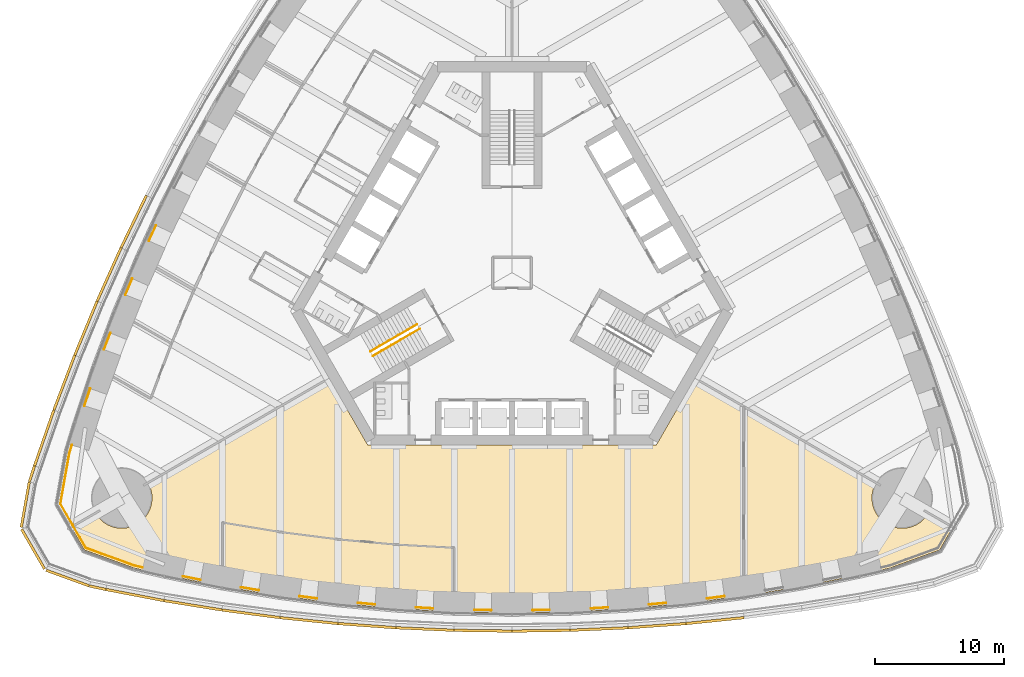
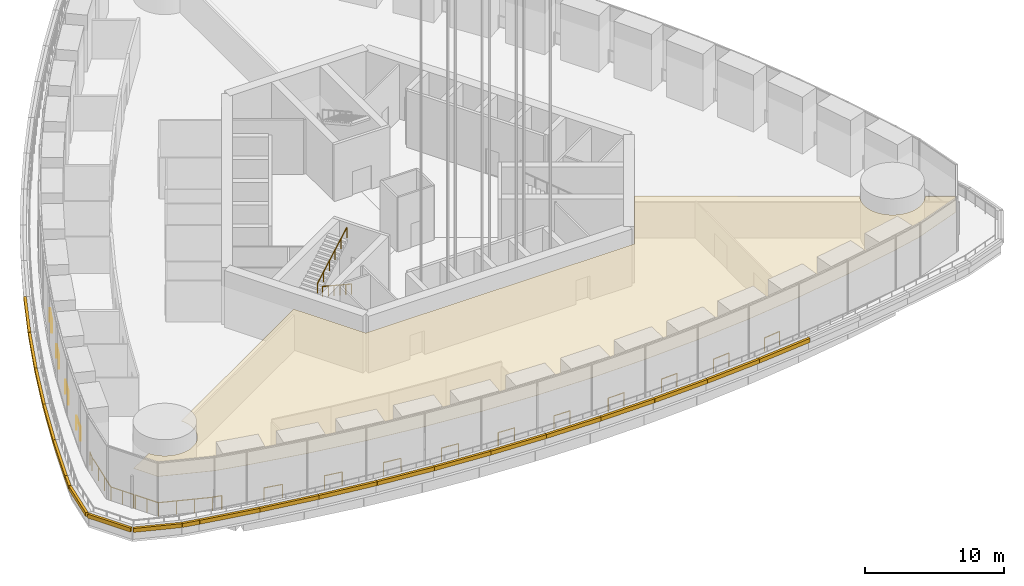
# One storey, part 18 of 33: 22 coverings, 18 railings.
"""IFC4 building model written with IfcOpenShell, lengths in metres."""

import ifcopenshell
import ifcopenshell.guid

model = None  # the IFC model being written
_history = None  # IfcOwnerHistory: only IFC2X3 demands one
_inside = {}  # id of a spatial element -> (the spatial element, [elements in it])
_under = {}  # id of a project, library or spatial element -> (it, [spatial elements below it])
_declared = {}  # id of a project -> (the project, [libraries it declares])
_typed = {}  # id of a type object -> (the type object, [elements of that type])
_made_of = {}  # id of a material, layer set ... -> (it, [elements and type objects made of it])


def new_model(schema):
    """Start an empty IFC model of exactly this schema.

    Asked for "IFC4X3", IfcOpenShell would pick the latest addendum, in which some entities
    have other attributes; the version numbers below select the first issue.
    IFC2X3 requires an IfcOwnerHistory on every rooted entity: one is made here for all.
    """
    global model, _history
    if schema == "IFC4X3":
        model = ifcopenshell.file(schema_version=(4, 3, 0, 0))
    else:
        model = ifcopenshell.file(schema=schema)
    _inside.clear()
    _under.clear()
    _declared.clear()
    _typed.clear()
    _made_of.clear()
    _history = None
    if model.schema == "IFC2X3":
        org = make("IfcOrganization", Name="unknown")
        user = make(
            "IfcPersonAndOrganization",
            ThePerson=make("IfcPerson", FamilyName="unknown"),
            TheOrganization=org,
        )
        app = make(
            "IfcApplication",
            ApplicationDeveloper=org,
            Version="unknown",
            ApplicationFullName="unknown",
            ApplicationIdentifier="unknown",
        )
        _history = make(
            "IfcOwnerHistory",
            OwningUser=user,
            OwningApplication=app,
            ChangeAction="ADDED",
            CreationDate=0,
        )
    return model


def make(cls, **values):
    """One entity of the class cls with the attributes given. An attribute that is None is left unset."""
    return model.create_entity(
        cls, **{name: value for name, value in values.items() if value is not None}
    )


def rooted(cls, **values):
    """An entity with a GlobalId (a new one), such as an element, a storey or a relation."""
    return make(cls, GlobalId=ifcopenshell.guid.new(), OwnerHistory=_history, **values)


def si_unit(unit_type, name, prefix=None):
    """IfcSIUnit, for example si_unit("LENGTHUNIT", "METRE", prefix="MILLI")."""
    return make("IfcSIUnit", UnitType=unit_type, Prefix=prefix, Name=name)


def assignment(units):
    """IfcUnitAssignment: the units of a project."""
    return None if units is None else make("IfcUnitAssignment", Units=units)


def point(xyz):
    """IfcCartesianPoint."""
    return None if xyz is None else make("IfcCartesianPoint", Coordinates=xyz)


def direction(xyz):
    """IfcDirection."""
    return None if xyz is None else make("IfcDirection", DirectionRatios=xyz)


def frame(location, z_axis=None, x_axis=None):
    """IfcAxis2Placement3D, a coordinate frame: its origin and axes. An axis left out is left unset."""
    return make(
        "IfcAxis2Placement3D",
        Location=point(location),
        Axis=direction(z_axis),
        RefDirection=direction(x_axis),
    )


def frame_2d(location, x_axis=None):
    """IfcAxis2Placement2D, a coordinate frame in the plane: its origin and x axis."""
    return make(
        "IfcAxis2Placement2D", Location=point(location), RefDirection=direction(x_axis)
    )


def origin():
    """The frame at (0, 0, 0) with its axes left unset."""
    return frame((0.0, 0.0, 0.0))


def origin_2d():
    """The frame at (0, 0) in the plane with its x axis left unset."""
    return frame_2d((0.0, 0.0))


def place(relative_to, where):
    """IfcLocalPlacement: puts the frame where relative to a parent placement (None: the world)."""
    return make(
        "IfcLocalPlacement", PlacementRelTo=relative_to, RelativePlacement=where
    )


def context(
    kind, dimensions, precision=None, world=None, true_north=None, identifier=None
):
    """IfcGeometricRepresentationContext, for example the 3D "Model" context."""
    return make(
        "IfcGeometricRepresentationContext",
        ContextIdentifier=identifier,
        ContextType=kind,
        CoordinateSpaceDimension=dimensions,
        Precision=precision,
        WorldCoordinateSystem=world,
        TrueNorth=true_north,
    )


def subcontext(parent, identifier, kind, view, scale=None):
    """IfcGeometricRepresentationSubContext, for example "Body" below "Model"."""
    return make(
        "IfcGeometricRepresentationSubContext",
        ContextIdentifier=identifier,
        ContextType=kind,
        ParentContext=parent,
        TargetScale=scale,
        TargetView=view,
    )


def project(units=None, contexts=None):
    """IfcProject with its units and contexts."""
    return rooted(
        "IfcProject",
        Name="project",
        RepresentationContexts=contexts,
        UnitsInContext=assignment(units),
    )


def spatial(cls, under=None, at=None, **own):
    """A site, building, storey or space (cls), placed at a placement, below another one or the project."""
    s = rooted(cls, ObjectPlacement=at, **own)
    if under is not None:
        _under.setdefault(under.id(), (under, []))[1].append(s)
    return s


def polyline(points):
    """IfcPolyline through the points."""
    return make("IfcPolyline", Points=[point(p) for p in points])


def profile(cls, at=None, kind="AREA", **sizes):
    """A parametric profile (cls). Its sizes go by their IFC names, for example OverallWidth=200.0."""
    return make(cls, ProfileType=kind, Position=at, **sizes)


def rectangle(**sizes):
    """IfcRectangleProfileDef."""
    return profile("IfcRectangleProfileDef", **sizes)


def circle(**sizes):
    """IfcCircleProfileDef."""
    return profile("IfcCircleProfileDef", **sizes)


def outline(outer, holes=None, kind="AREA"):
    """IfcArbitraryClosedProfileDef: a profile drawn as a closed curve; with holes, ...WithVoids."""
    if holes is None:
        return make("IfcArbitraryClosedProfileDef", ProfileType=kind, OuterCurve=outer)
    return make(
        "IfcArbitraryProfileDefWithVoids",
        ProfileType=kind,
        OuterCurve=outer,
        InnerCurves=holes,
    )


def extrude(swept, where, along, depth):
    """IfcExtrudedAreaSolid: the profile swept, set in the frame where, extruded along a direction by depth."""
    return make(
        "IfcExtrudedAreaSolid",
        SweptArea=swept,
        Position=where,
        ExtrudedDirection=direction(along),
        Depth=depth,
    )


def shape(context_of_items, identifier, shape_type, items):
    """IfcShapeRepresentation: the items that make up one representation, for example the "Body"."""
    return make(
        "IfcShapeRepresentation",
        ContextOfItems=context_of_items,
        RepresentationIdentifier=identifier,
        RepresentationType=shape_type,
        Items=items,
    )


def material(Name=None, Category=None):
    """IfcMaterial."""
    return make("IfcMaterial", Name=Name, Category=Category)


def layer(
    of_material, thickness, ventilated=None, Name=None, Category=None, Priority=None
):
    """IfcMaterialLayer: one layer of a wall or slab, of a material (None: an air gap)."""
    return make(
        "IfcMaterialLayer",
        Material=of_material,
        LayerThickness=thickness,
        IsVentilated=ventilated,
        Name=Name,
        Category=Category,
        Priority=Priority,
    )


def layer_set(layers, Name=None):
    """IfcMaterialLayerSet."""
    return make("IfcMaterialLayerSet", MaterialLayers=layers, LayerSetName=Name)


def made_of(thing, what):
    """Note that an element or type object is made of a material, layer set ...; save() writes the relation."""
    if what is not None:
        _made_of.setdefault(what.id(), (what, []))[1].append(thing)
    return thing


def type_object(cls, material=None, **own):
    """A type object (cls), such as IfcWallType, which elements share."""
    return made_of(rooted(cls, **own), material)


def element(
    cls,
    number,
    at=None,
    inside=None,
    cuts=None,
    type_object=None,
    material=None,
    context=None,
    identifier="Body",
    shape_type=None,
    held_by="IfcProductDefinitionShape",
    body=None,
    shapes=None,
    **own,
):
    """One element of the class cls, such as IfcWall. Its Tag is "e" and its number.

    at: its placement. inside: the storey or other place that contains it. cuts: it is an
    opening in that element (IfcRelVoidsElement). A single representation is given by context,
    identifier, shape_type and body (its items); several are given by shapes. held_by: the class
    of the entity that holds the representations. save() writes the other relations.
    """
    e = rooted(cls, Tag="e%d" % number, ObjectPlacement=at, **own)
    if body is not None:
        shapes = [shape(context, identifier, shape_type, body)]
    if shapes is not None:
        e.Representation = make(held_by, Representations=shapes)
    if inside is not None:
        _inside.setdefault(inside.id(), (inside, []))[1].append(e)
    if cuts is not None:
        rooted(
            "IfcRelVoidsElement", RelatingBuildingElement=cuts, RelatedOpeningElement=e
        )
    if type_object is not None:
        _typed.setdefault(type_object.id(), (type_object, []))[1].append(e)
    return made_of(e, material)


def aggregate(whole, parts):
    """IfcRelAggregates: a whole, such as a stair, and the parts it consists of."""
    return rooted("IfcRelAggregates", RelatingObject=whole, RelatedObjects=parts)


def save(model, path):
    """Write the relations noted so far, then the file.

    IfcRelAggregates (storeys below a building ...), IfcRelContainedInSpatialStructure (elements
    in a storey), IfcRelDefinesByType, IfcRelAssociatesMaterial and IfcRelDeclares: one each for
    every whole, place, type object, material and project.
    """
    for whole, parts in _under.values():
        aggregate(whole, parts)
    for where, things in _inside.values():
        rooted(
            "IfcRelContainedInSpatialStructure",
            RelatedElements=things,
            RelatingStructure=where,
        )
    for kind, things in _typed.values():
        rooted("IfcRelDefinesByType", RelatedObjects=things, RelatingType=kind)
    for what, things in _made_of.values():
        rooted("IfcRelAssociatesMaterial", RelatedObjects=things, RelatingMaterial=what)
    for by, libraries in _declared.values():
        rooted("IfcRelDeclares", RelatingContext=by, RelatedDefinitions=libraries)
    model.write(path)


model = new_model("IFC4")

# Units and contexts
model_context = context("Model", 3, precision=1e-05, world=origin(), true_north=direction((0.0, 1.0)))
body_context = subcontext(model_context, "Body", "Model", "MODEL_VIEW")
ifc_project = project(units=[si_unit("LENGTHUNIT", "METRE"), si_unit("AREAUNIT", "SQUARE_METRE"), si_unit("VOLUMEUNIT", "CUBIC_METRE"), si_unit("PLANEANGLEUNIT", "RADIAN"), si_unit("MASSUNIT", "GRAM", prefix="KILO")], contexts=[model_context])

# Site, building, storey
site_placement = place(None, origin())
site = spatial("IfcSite", under=ifc_project, at=site_placement, CompositionType="ELEMENT")
building_placement = place(site_placement, origin())
building = spatial("IfcBuilding", under=site, at=building_placement, Name="Trefoil Bronze Tower", CompositionType="ELEMENT")
storey_placement = place(building_placement, frame((0.0, 0.0, 98.10009765625)))
storey = spatial("IfcBuildingStorey", under=building, at=storey_placement, Name="L22", CompositionType="ELEMENT", Elevation=98.10009765625)

# Covering
ifc_material_1 = material(Name="Bronze metal ceiling panels", Category="metal")
ifc_layer = layer(ifc_material_1, 0.02001953125)
ifc_layer_set = layer_set([ifc_layer], Name="Feature ceiling 20")
covering_type_1 = type_object("IfcCoveringType", Name="Feature ceiling 20", PredefinedType="CEILING", material=ifc_layer_set)
covering_1_placement = place(storey_placement, frame((0.0, 0.0, 3.599853515625)))
element("IfcCovering", 1, at=covering_1_placement, inside=storey, type_object=covering_type_1, Name="Ceiling L22 Sky lobby F1", PredefinedType="CEILING", context=body_context, shape_type="SweptSolid", body=[
    extrude(outline(polyline([(-32.264892578125, -18.8056640625), (-32.198486328125, -18.89990234375), (-32.12744140625, -18.99072265625), (-32.052001953125, -19.078125), (-31.97265625, -19.16162109375), (-31.88916015625, -19.2412109375), (-31.8017578125, -19.316650390625), (-31.710693359375, -19.387451171875), (-31.616455078125, -19.4541015625), (-31.51904296875, -19.515625), (-31.418701171875, -19.572509765625), (-31.315673828125, -19.62451171875), (-31.210205078125, -19.671142578125), (-31.1025390625, -19.712646484375), (-30.9931640625, -19.748779296875), (-30.8818359375, -19.779541015625), (-30.769287109375, -19.8046875), (-30.65576171875, -19.82470703125), (-30.541259765625, -19.838623046875), (-30.42626953125, -19.84716796875), (-30.310791015625, -19.85009765625), (-30.195556640625, -19.84716796875), (-30.08056640625, -19.838623046875), (-29.966064453125, -19.82470703125), (-29.852294921875, -19.8046875), (-29.739990234375, -19.779541015625), (-29.628662109375, -19.748779296875), (-29.519287109375, -19.712646484375), (-29.41162109375, -19.671142578125), (-29.30615234375, -19.62451171875), (-29.203125, -19.572509765625), (-29.102783203125, -19.515625), (-29.00537109375, -19.4541015625), (-28.910888671875, -19.387451171875), (-28.820068359375, -19.316650390625), (-28.732666015625, -19.2412109375), (-28.649169921875, -19.16162109375), (-28.569580078125, -19.078125), (-28.494384765625, -18.99072265625), (-28.42333984375, -18.89990234375), (-28.35693359375, -18.8056640625), (-28.295166015625, -18.7080078125), (-28.23828125, -18.60791015625), (-28.1865234375, -18.5048828125), (-28.139892578125, -18.3994140625), (-28.098388671875, -18.291748046875), (-28.06201171875, -18.18212890625), (-28.03125, -18.071044921875), (-28.006103515625, -17.95849609375), (-27.986328125, -17.8447265625), (-27.97216796875, -17.730224609375), (-27.963623046875, -17.615234375), (-27.9609375, -17.5), (-27.963623046875, -17.384765625), (-27.97216796875, -17.269775390625), (-27.986328125, -17.1552734375), (-28.006103515625, -17.04150390625), (-28.03125, -16.928955078125), (-28.06201171875, -16.81787109375), (-28.098388671875, -16.708251953125), (-28.139892578125, -16.6005859375), (-28.1865234375, -16.4951171875), (-28.23828125, -16.39208984375), (-28.270263671875, -16.3359375), (-14.19970703125, -8.205322265625), (-11.20068359375, -13.39990234375), (11.20068359375, -13.39990234375), (14.19970703125, -8.205322265625), (28.270263671875, -16.3359375), (28.23828125, -16.39208984375), (28.1865234375, -16.4951171875), (28.139892578125, -16.6005859375), (28.098388671875, -16.708251953125), (28.06201171875, -16.81787109375), (28.03125, -16.928955078125), (28.006103515625, -17.04150390625), (27.986328125, -17.1552734375), (27.97216796875, -17.269775390625), (27.963623046875, -17.384765625), (27.9609375, -17.5), (27.963623046875, -17.615234375), (27.97216796875, -17.730224609375), (27.986328125, -17.8447265625), (28.006103515625, -17.95849609375), (28.03125, -18.071044921875), (28.06201171875, -18.18212890625), (28.098388671875, -18.291748046875), (28.139892578125, -18.3994140625), (28.1865234375, -18.5048828125), (28.23828125, -18.60791015625), (28.295166015625, -18.7080078125), (28.35693359375, -18.8056640625), (28.42333984375, -18.89990234375), (28.494384765625, -18.99072265625), (28.569580078125, -19.078125), (28.649169921875, -19.16162109375), (28.732666015625, -19.2412109375), (28.820068359375, -19.316650390625), (28.910888671875, -19.387451171875), (29.00537109375, -19.4541015625), (29.102783203125, -19.515625), (29.203125, -19.572509765625), (29.30615234375, -19.62451171875), (29.41162109375, -19.671142578125), (29.519287109375, -19.712646484375), (29.628662109375, -19.748779296875), (29.739990234375, -19.779541015625), (29.852294921875, -19.8046875), (29.966064453125, -19.82470703125), (30.08056640625, -19.838623046875), (30.195556640625, -19.84716796875), (30.310791015625, -19.85009765625), (30.42626953125, -19.84716796875), (30.541259765625, -19.838623046875), (30.65576171875, -19.82470703125), (30.769287109375, -19.8046875), (30.8818359375, -19.779541015625), (30.9931640625, -19.748779296875), (31.1025390625, -19.712646484375), (31.210205078125, -19.671142578125), (31.315673828125, -19.62451171875), (31.418701171875, -19.572509765625), (31.51904296875, -19.515625), (31.616455078125, -19.4541015625), (31.710693359375, -19.387451171875), (31.8017578125, -19.316650390625), (31.88916015625, -19.2412109375), (31.97265625, -19.16162109375), (32.052001953125, -19.078125), (32.12744140625, -18.99072265625), (32.198486328125, -18.89990234375), (32.264892578125, -18.8056640625), (32.338623046875, -18.68701171875), (34.233154296875, -19.781494140625), (33.21435546875, -21.5458984375), (29.357666015625, -22.94970703125), (27.0, -23.495849609375), (22.5, -24.406005859375), (18.0, -25.1455078125), (13.5, -25.7177734375), (9.0, -26.125), (4.5, -26.36865234375), (0.0, -26.44970703125), (-4.5, -26.36865234375), (-9.0, -26.125), (-13.5, -25.7177734375), (-18.0, -25.1455078125), (-22.5, -24.406005859375), (-27.0, -23.495849609375), (-29.357666015625, -22.94970703125), (-33.21435546875, -21.5458984375), (-34.233154296875, -19.781494140625), (-32.338623046875, -18.68701171875), (-32.264892578125, -18.8056640625)])), origin(), (0.0, 0.0, 1.0), 0.02001953125),
])

# Railings
ifc_material_2 = material(Name="Bronze-finish steel guard rail and posts", Category="steel")
railing_type_1 = type_object("IfcRailingType", Name="Glazing guard 1200", PredefinedType="GUARDRAIL", material=ifc_material_2)
railing_1_placement = place(storey_placement, frame((-29.4931640625, -0.468505859375, 0.0)))
element("IfcRailing", 2, at=railing_1_placement, inside=storey, type_object=railing_type_1, Name="Glazing guard L22.1", PredefinedType="GUARDRAIL", context=body_context, shape_type="SweptSolid", body=[
    extrude(circle(Radius=0.02392578125, at=origin_2d()), frame((0.0, 0.0, 1.17578125), z_axis=(-0.38683516355, -0.922148879651, 0.0), x_axis=(0.922148879651, -0.38683516355, 0.0)), (0.0, 0.0, 1.0), 1.358154296875),
    extrude(circle(Radius=0.02099609375, at=origin_2d()), origin(), (0.0, 0.0, 1.0), 1.15185546875),
    extrude(circle(Radius=0.02099609375, at=origin_2d()), frame((-0.525390625, -1.25244140625, 0.0)), (0.0, 0.0, 1.0), 1.15185546875),
])
railing_2_placement = place(storey_placement, frame((-31.19921875, -4.695068359375, 0.0)))
element("IfcRailing", 3, at=railing_2_placement, inside=storey, type_object=railing_type_1, Name="Glazing guard L22.2", PredefinedType="GUARDRAIL", context=body_context, shape_type="SweptSolid", body=[
    extrude(circle(Radius=0.02392578125, at=origin_2d()), frame((0.0, 0.0, 1.17578125), z_axis=(-0.352961015348, -0.935638029178, 0.0), x_axis=(0.935638029178, -0.352961015348, 0.0)), (0.0, 0.0, 1.0), 1.3828125),
    extrude(circle(Radius=0.02099609375, at=origin_2d()), origin(), (0.0, 0.0, 1.0), 1.15185546875),
    extrude(circle(Radius=0.02099609375, at=origin_2d()), frame((-0.488037109375, -1.293701171875, 0.0)), (0.0, 0.0, 1.0), 1.15185546875),
])
railing_3_placement = place(storey_placement, frame((-32.757568359375, -9.00439453125, 0.0)))
element("IfcRailing", 4, at=railing_3_placement, inside=storey, type_object=railing_type_1, Name="Glazing guard L22.3", PredefinedType="GUARDRAIL", context=body_context, shape_type="SweptSolid", body=[
    extrude(circle(Radius=0.02392578125, at=origin_2d()), frame((0.0, 0.0, 1.17578125), z_axis=(-0.318458348418, -0.947936854607, 0.0), x_axis=(0.947936854607, -0.318458348418, 0.0)), (0.0, 0.0, 1.0), 1.411376953125),
    extrude(circle(Radius=0.02099609375, at=origin_2d()), origin(), (0.0, 0.0, 1.0), 1.15185546875),
    extrude(circle(Radius=0.02099609375, at=origin_2d()), frame((-0.449462890625, -1.337890625, 0.0)), (0.0, 0.0, 1.0), 1.15185546875),
])
railing_4_placement = place(storey_placement, frame((-34.1796875, -13.390869140625, 0.0)))
element("IfcRailing", 5, at=railing_4_placement, inside=storey, type_object=railing_type_1, Name="Glazing guard L22.4", PredefinedType="GUARDRAIL", context=body_context, shape_type="SweptSolid", body=[
    extrude(circle(Radius=0.02392578125, at=origin_2d()), frame((0.0, 0.0, 1.17578125), z_axis=(-0.291768162996, -0.956489068971, 0.0), x_axis=(0.956489068971, -0.291768162996, 0.0)), (0.0, 0.0, 1.0), 0.688720703125),
    extrude(circle(Radius=0.02392578125, at=origin_2d()), frame((-0.200927734375, -0.65869140625, 1.17578125), z_axis=(-0.173651937522, -0.984807090041, 0.0), x_axis=(0.984807090041, -0.173651937522, 0.0)), (0.0, 0.0, 1.0), 3.967529296875),
    extrude(circle(Radius=0.02392578125, at=origin_2d()), frame((-0.889892578125, -4.56591796875, 1.17578125), z_axis=(0.499977104415, -0.866038622153, 0.0), x_axis=(0.866038622153, 0.499977104415, 0.0)), (0.0, 0.0, 1.0), 1.90869140625),
    extrude(circle(Radius=0.02099609375, at=origin_2d()), origin(), (0.0, 0.0, 1.0), 1.15185546875),
    extrude(circle(Radius=0.02099609375, at=origin_2d()), frame((-0.200927734375, -0.65869140625, 0.0)), (0.0, 0.0, 1.0), 1.15185546875),
    extrude(circle(Radius=0.02099609375, at=origin_2d()), frame((-0.4306640625, -1.961181640625, 0.0)), (0.0, 0.0, 1.0), 1.15185546875),
    extrude(circle(Radius=0.02099609375, at=origin_2d()), frame((-0.66015625, -3.263427734375, 0.0)), (0.0, 0.0, 1.0), 1.15185546875),
    extrude(circle(Radius=0.02099609375, at=origin_2d()), frame((-0.889892578125, -4.56591796875, 0.0)), (0.0, 0.0, 1.0), 1.15185546875),
    extrude(circle(Radius=0.02099609375, at=origin_2d()), frame((-0.41259765625, -5.392578125, 0.0)), (0.0, 0.0, 1.0), 1.15185546875),
    extrude(circle(Radius=0.02099609375, at=origin_2d()), frame((0.064453125, -6.218994140625, 0.0)), (0.0, 0.0, 1.0), 1.15185546875),
])
railing_5_placement = place(storey_placement, frame((-34.040283203125, -19.73974609375, 0.0)))
element("IfcRailing", 6, at=railing_5_placement, inside=storey, type_object=railing_type_1, Name="Glazing guard L22.5", PredefinedType="GUARDRAIL", context=body_context, shape_type="SweptSolid", body=[
    extrude(circle(Radius=0.02392578125, at=origin_2d()), frame((0.0, 0.0, 1.17578125), z_axis=(0.499977104415, -0.866038622153, 0.0), x_axis=(0.866038622153, 0.499977104415, 0.0)), (0.0, 0.0, 1.0), 1.90869140625),
    extrude(circle(Radius=0.02392578125, at=origin_2d()), frame((0.954345703125, -1.653076171875, 1.17578125), z_axis=(0.939696367408, -0.342009849391, 0.0), x_axis=(0.342009849391, 0.939696367408, 0.0)), (0.0, 0.0, 1.0), 3.967529296875),
    extrude(circle(Radius=0.02392578125, at=origin_2d()), frame((4.6826171875, -3.010009765625, 1.17578125), z_axis=(0.974265607801, -0.225403028942, 0.0), x_axis=(0.225403028942, 0.974265607801, 0.0)), (0.0, 0.0, 1.0), 0.68896484375),
    extrude(circle(Radius=0.02099609375, at=origin_2d()), origin(), (0.0, 0.0, 1.0), 1.15185546875),
    extrude(circle(Radius=0.02099609375, at=origin_2d()), frame((0.47705078125, -0.82666015625, 0.0)), (0.0, 0.0, 1.0), 1.15185546875),
    extrude(circle(Radius=0.02099609375, at=origin_2d()), frame((0.954345703125, -1.653076171875, 0.0)), (0.0, 0.0, 1.0), 1.15185546875),
    extrude(circle(Radius=0.02099609375, at=origin_2d()), frame((2.197021484375, -2.10546875, 0.0)), (0.0, 0.0, 1.0), 1.15185546875),
    extrude(circle(Radius=0.02099609375, at=origin_2d()), frame((3.43994140625, -2.5576171875, 0.0)), (0.0, 0.0, 1.0), 1.15185546875),
    extrude(circle(Radius=0.02099609375, at=origin_2d()), frame((4.6826171875, -3.010009765625, 0.0)), (0.0, 0.0, 1.0), 1.15185546875),
    extrude(circle(Radius=0.02099609375, at=origin_2d()), frame((5.353759765625, -3.165283203125, 0.0)), (0.0, 0.0, 1.0), 1.15185546875),
])
railing_6_placement = place(storey_placement, frame((-25.56005859375, -23.5869140625, 0.0)))
element("IfcRailing", 7, at=railing_6_placement, inside=storey, type_object=railing_type_1, Name="Glazing guard L22.6", PredefinedType="GUARDRAIL", context=body_context, shape_type="SweptSolid", body=[
    extrude(circle(Radius=0.02392578125, at=origin_2d()), frame((0.0, 0.0, 1.17578125), z_axis=(0.980145746229, -0.198278380438, 0.0), x_axis=(0.198278380438, 0.980145746229, 0.0)), (0.0, 0.0, 1.0), 1.4111328125),
    extrude(circle(Radius=0.02099609375, at=origin_2d()), origin(), (0.0, 0.0, 1.0), 1.15185546875),
    extrude(circle(Radius=0.02099609375, at=origin_2d()), frame((1.383056640625, -0.27978515625, 0.0)), (0.0, 0.0, 1.0), 1.15185546875),
])
railing_7_placement = place(storey_placement, frame((-21.030029296875, -24.447509765625, 0.0)))
element("IfcRailing", 8, at=railing_7_placement, inside=storey, type_object=railing_type_1, Name="Glazing guard L22.7", PredefinedType="GUARDRAIL", context=body_context, shape_type="SweptSolid", body=[
    extrude(circle(Radius=0.02392578125, at=origin_2d()), frame((0.0, 0.0, 1.17578125), z_axis=(0.98674481344, -0.162279614093, 0.0), x_axis=(0.162279614093, 0.98674481344, 0.0)), (0.0, 0.0, 1.0), 1.382568359375),
    extrude(circle(Radius=0.02099609375, at=origin_2d()), origin(), (0.0, 0.0, 1.0), 1.15185546875),
    extrude(circle(Radius=0.02099609375, at=origin_2d()), frame((1.3642578125, -0.224365234375, 0.0)), (0.0, 0.0, 1.0), 1.15185546875),
])
railing_8_placement = place(storey_placement, frame((-16.49951171875, -25.136474609375, 0.0)))
element("IfcRailing", 9, at=railing_8_placement, inside=storey, type_object=railing_type_1, Name="Glazing guard L22.8", PredefinedType="GUARDRAIL", context=body_context, shape_type="SweptSolid", body=[
    extrude(circle(Radius=0.02392578125, at=origin_2d()), frame((0.0, 0.0, 1.17578125), z_axis=(0.992026952039, -0.126025895864, 0.0), x_axis=(0.126025895864, 0.992026952039, 0.0)), (0.0, 0.0, 1.0), 1.35791015625),
    extrude(circle(Radius=0.02099609375, at=origin_2d()), origin(), (0.0, 0.0, 1.0), 1.15185546875),
    extrude(circle(Radius=0.02099609375, at=origin_2d()), frame((1.34716796875, -0.171142578125, 0.0)), (0.0, 0.0, 1.0), 1.15185546875),
])
railing_9_placement = place(storey_placement, frame((-11.971435546875, -25.656005859375, 0.0)))
element("IfcRailing", 10, at=railing_9_placement, inside=storey, type_object=railing_type_1, Name="Glazing guard L22.9", PredefinedType="GUARDRAIL", context=body_context, shape_type="SweptSolid", body=[
    extrude(circle(Radius=0.02392578125, at=origin_2d()), frame((0.0, 0.0, 1.17578125), z_axis=(0.995924509616, -0.090190748675, 0.0), x_axis=(0.090190748675, 0.995924509616, 0.0)), (0.0, 0.0, 1.0), 1.33984375),
    extrude(circle(Radius=0.02099609375, at=origin_2d()), origin(), (0.0, 0.0, 1.0), 1.15185546875),
    extrude(circle(Radius=0.02099609375, at=origin_2d()), frame((1.33447265625, -0.120849609375, 0.0)), (0.0, 0.0, 1.0), 1.15185546875),
])
railing_10_placement = place(storey_placement, frame((-7.4453125, -26.009033203125, 0.0)))
element("IfcRailing", 11, at=railing_10_placement, inside=storey, type_object=railing_type_1, Name="Glazing guard L22.10", PredefinedType="GUARDRAIL", context=body_context, shape_type="SweptSolid", body=[
    extrude(circle(Radius=0.02392578125, at=origin_2d()), frame((0.0, 0.0, 1.17578125), z_axis=(0.998537447634, -0.054064458491, 0.0), x_axis=(0.054064458491, 0.998537447634, 0.0)), (0.0, 0.0, 1.0), 1.32763671875),
    extrude(circle(Radius=0.02099609375, at=origin_2d()), origin(), (0.0, 0.0, 1.0), 1.15185546875),
    extrude(circle(Radius=0.02099609375, at=origin_2d()), frame((1.32568359375, -0.07177734375, 0.0)), (0.0, 0.0, 1.0), 1.15185546875),
])
railing_11_placement = place(storey_placement, frame((-2.921630859375, -26.197021484375, 0.0)))
element("IfcRailing", 12, at=railing_11_placement, inside=storey, type_object=railing_type_1, Name="Glazing guard L22.11", PredefinedType="GUARDRAIL", context=body_context, shape_type="SweptSolid", body=[
    extrude(circle(Radius=0.02392578125, at=origin_2d()), frame((0.0, 0.0, 1.17578125), z_axis=(0.999836152675, -0.018101596705, 0.0), x_axis=(0.018101596705, 0.999836152675, 0.0)), (0.0, 0.0, 1.0), 1.32177734375),
    extrude(circle(Radius=0.02099609375, at=origin_2d()), origin(), (0.0, 0.0, 1.0), 1.15185546875),
    extrude(circle(Radius=0.02099609375, at=origin_2d()), frame((1.321533203125, -0.02392578125, 0.0)), (0.0, 0.0, 1.0), 1.15185546875),
])
railing_12_placement = place(storey_placement, frame((1.60009765625, -26.220947265625, 0.0)))
element("IfcRailing", 13, at=railing_12_placement, inside=storey, type_object=railing_type_1, Name="Glazing guard L22.12", PredefinedType="GUARDRAIL", context=body_context, shape_type="SweptSolid", body=[
    extrude(circle(Radius=0.02392578125, at=origin_2d()), frame((0.0, 0.0, 1.17578125), z_axis=(0.999836152675, 0.018101596705, 0.0), x_axis=(-0.018101596705, 0.999836152675, 0.0)), (0.0, 0.0, 1.0), 1.32177734375),
    extrude(circle(Radius=0.02099609375, at=origin_2d()), origin(), (0.0, 0.0, 1.0), 1.15185546875),
    extrude(circle(Radius=0.02099609375, at=origin_2d()), frame((1.321533203125, 0.02392578125, 0.0)), (0.0, 0.0, 1.0), 1.15185546875),
])
railing_13_placement = place(storey_placement, frame((6.11962890625, -26.080810546875, 0.0)))
element("IfcRailing", 14, at=railing_13_placement, inside=storey, type_object=railing_type_1, Name="Glazing guard L22.13", PredefinedType="GUARDRAIL", context=body_context, shape_type="SweptSolid", body=[
    extrude(circle(Radius=0.02392578125, at=origin_2d()), frame((0.0, 0.0, 1.17578125), z_axis=(0.998537447634, 0.054064458491, 0.0), x_axis=(-0.054064458491, 0.998537447634, 0.0)), (0.0, 0.0, 1.0), 1.32763671875),
    extrude(circle(Radius=0.02099609375, at=origin_2d()), origin(), (0.0, 0.0, 1.0), 1.15185546875),
    extrude(circle(Radius=0.02099609375, at=origin_2d()), frame((1.32568359375, 0.07177734375, 0.0)), (0.0, 0.0, 1.0), 1.15185546875),
])
railing_14_placement = place(storey_placement, frame((10.636962890625, -25.77685546875, 0.0)))
element("IfcRailing", 15, at=railing_14_placement, inside=storey, type_object=railing_type_1, Name="Glazing guard L22.14", PredefinedType="GUARDRAIL", context=body_context, shape_type="SweptSolid", body=[
    extrude(circle(Radius=0.02392578125, at=origin_2d()), frame((0.0, 0.0, 1.17578125), z_axis=(0.995924509616, 0.090190748675, 0.0), x_axis=(-0.090190748675, 0.995924509616, 0.0)), (0.0, 0.0, 1.0), 1.33984375),
    extrude(circle(Radius=0.02099609375, at=origin_2d()), origin(), (0.0, 0.0, 1.0), 1.15185546875),
    extrude(circle(Radius=0.02099609375, at=origin_2d()), frame((1.33447265625, 0.120849609375, 0.0)), (0.0, 0.0, 1.0), 1.15185546875),
])
railing_15_placement = place(storey_placement, frame((15.15234375, -25.3076171875, 0.0)))
element("IfcRailing", 16, at=railing_15_placement, inside=storey, type_object=railing_type_1, Name="Glazing guard L22.15", PredefinedType="GUARDRAIL", context=body_context, shape_type="SweptSolid", body=[
    extrude(circle(Radius=0.02392578125, at=origin_2d()), frame((0.0, 0.0, 1.17578125), z_axis=(0.992026952039, 0.126025895864, 0.0), x_axis=(-0.126025895864, 0.992026952039, 0.0)), (0.0, 0.0, 1.0), 1.35791015625),
    extrude(circle(Radius=0.02099609375, at=origin_2d()), origin(), (0.0, 0.0, 1.0), 1.15185546875),
    extrude(circle(Radius=0.02099609375, at=origin_2d()), frame((1.34716796875, 0.171142578125, 0.0)), (0.0, 0.0, 1.0), 1.15185546875),
])
railing_16_placement = place(storey_placement, frame((-27.641845703125, 3.676513671875, 0.0)))
element("IfcRailing", 17, at=railing_16_placement, inside=storey, type_object=railing_type_1, Name="Glazing guard L22.41", PredefinedType="GUARDRAIL", context=body_context, shape_type="SweptSolid", body=[
    extrude(circle(Radius=0.02392578125, at=origin_2d()), frame((0.0, 0.0, 1.17578125), z_axis=(-0.419970742705, -0.907537643997, 0.0), x_axis=(0.907537643997, -0.419970742705, 0.0)), (0.0, 0.0, 1.0), 1.33984375),
    extrude(circle(Radius=0.02099609375, at=origin_2d()), origin(), (0.0, 0.0, 1.0), 1.15185546875),
    extrude(circle(Radius=0.02099609375, at=origin_2d()), frame((-0.562744140625, -1.216064453125, 0.0)), (0.0, 0.0, 1.0), 1.15185546875),
])
ifc_material_3 = material(Name="Steel handrail", Category="steel")
railing_type_2 = type_object("IfcRailingType", Name="Handrail 900", PredefinedType="HANDRAIL", material=ifc_material_3)
railing_17_placement = place(storey_placement, frame((-7.166015625, -4.3681640625, 0.16650390625)))
element("IfcRailing", 18, at=railing_17_placement, inside=storey, type_object=railing_type_2, Name="Handrail ST3 flight 1 L22", PredefinedType="HANDRAIL", context=body_context, shape_type="SweptSolid", body=[
    extrude(circle(Radius=0.02392578125, at=origin_2d()), frame((0.0, 0.0, 0.8759765625), z_axis=(-0.75701437253, -0.437094753155, 0.485672128651), x_axis=(0.500027713859, -0.866009402589, 0.0)), (0.0, 0.0, 1.0), 4.8046875),
    extrude(circle(Radius=0.02099609375, at=origin_2d()), origin(), (0.0, 0.0, 1.0), 0.851806640625),
    extrude(circle(Radius=0.02099609375, at=origin_2d()), frame((-0.7275390625, -0.419921875, 0.466796875)), (0.0, 0.0, 1.0), 0.851806640625),
    extrude(circle(Radius=0.02099609375, at=origin_2d()), frame((-1.454833984375, -0.840087890625, 0.933349609375)), (0.0, 0.0, 1.0), 0.851806640625),
    extrude(circle(Radius=0.02099609375, at=origin_2d()), frame((-2.182373046875, -1.260009765625, 1.400146484375)), (0.0, 0.0, 1.0), 0.851806640625),
    extrude(circle(Radius=0.02099609375, at=origin_2d()), frame((-2.90966796875, -1.68017578125, 1.86669921875)), (0.0, 0.0, 1.0), 0.851806640625),
    extrude(circle(Radius=0.02099609375, at=origin_2d()), frame((-3.63720703125, -2.10009765625, 2.33349609375)), (0.0, 0.0, 1.0), 0.851806640625),
])
railing_18_placement = place(storey_placement, frame((-11.003173828125, -6.121826171875, 2.66650390625)))
element("IfcRailing", 19, at=railing_18_placement, inside=storey, type_object=railing_type_2, Name="Handrail ST3 flight 2 L22", PredefinedType="HANDRAIL", context=body_context, shape_type="SweptSolid", body=[
    extrude(circle(Radius=0.02392578125, at=origin_2d()), frame((0.0, 0.0, 0.8759765625), z_axis=(0.75701437253, 0.437094753155, 0.485672128651), x_axis=(-0.500027713859, 0.866009402589, 0.0)), (0.0, 0.0, 1.0), 4.8046875),
    extrude(circle(Radius=0.02099609375, at=origin_2d()), origin(), (0.0, 0.0, 1.0), 0.851806640625),
    extrude(circle(Radius=0.02099609375, at=origin_2d()), frame((0.7275390625, 0.419921875, 0.466796875)), (0.0, 0.0, 1.0), 0.851806640625),
    extrude(circle(Radius=0.02099609375, at=origin_2d()), frame((1.454833984375, 0.840087890625, 0.933349609375)), (0.0, 0.0, 1.0), 0.851806640625),
    extrude(circle(Radius=0.02099609375, at=origin_2d()), frame((2.182373046875, 1.260009765625, 1.400146484375)), (0.0, 0.0, 1.0), 0.851806640625),
    extrude(circle(Radius=0.02099609375, at=origin_2d()), frame((2.90966796875, 1.68017578125, 1.86669921875)), (0.0, 0.0, 1.0), 0.851806640625),
    extrude(circle(Radius=0.02099609375, at=origin_2d()), frame((3.63720703125, 2.10009765625, 2.33349609375)), (0.0, 0.0, 1.0), 0.851806640625),
])

# Coverings
ifc_material_4 = material(Name="Stepped bronze-finish aluminium cornice", Category="aluminium")
covering_type_2 = type_object("IfcCoveringType", Name="Setback cornice 350x200", PredefinedType="MOLDING", material=ifc_material_4)
covering_2_placement = place(storey_placement, frame((-32.177734375, -24.4775390625, 0.749755859375), z_axis=(0.0, 0.0, 1.0), x_axis=(0.978302717045, -0.20718058264, 0.0)))
element("IfcCovering", 20, at=covering_2_placement, inside=storey, type_object=covering_type_2, Name="Setback cornice L22.00", PredefinedType="MOLDING", context=body_context, shape_type="SweptSolid", body=[
    extrude(rectangle(XDim=1.290283203125, YDim=0.199951171875, at=origin_2d()), origin(), (0.0, 0.0, 1.0), 0.35009765625),
])
covering_3_placement = place(storey_placement, frame((-29.29248046875, -25.044189453125, 0.749755859375), z_axis=(0.0, 0.0, 1.0), x_axis=(0.982049823817, -0.188621694249, 0.0)))
element("IfcCovering", 21, at=covering_3_placement, inside=storey, type_object=covering_type_2, Name="Setback cornice L22.01", PredefinedType="MOLDING", context=body_context, shape_type="SweptSolid", body=[
    extrude(rectangle(XDim=4.582275390625, YDim=0.199951171875, at=origin_2d()), origin(), (0.0, 0.0, 1.0), 0.35009765625),
])
covering_4_placement = place(storey_placement, frame((-24.785888671875, -25.84130859375, 0.749755859375), z_axis=(0.0, 0.0, 1.0), x_axis=(0.987181315147, -0.159602791403, 0.0)))
element("IfcCovering", 22, at=covering_4_placement, inside=storey, type_object=covering_type_2, Name="Setback cornice L22.02", PredefinedType="MOLDING", context=body_context, shape_type="SweptSolid", body=[
    extrude(rectangle(XDim=4.558349609375, YDim=0.199951171875, at=origin_2d()), origin(), (0.0, 0.0, 1.0), 0.35009765625),
])
covering_5_placement = place(storey_placement, frame((-20.279296875, -26.50244140625, 0.749755859375), z_axis=(0.0, 0.0, 1.0), x_axis=(0.991437251591, -0.130583981243, 0.0)))
element("IfcCovering", 23, at=covering_5_placement, inside=storey, type_object=covering_type_2, Name="Setback cornice L22.03", PredefinedType="MOLDING", context=body_context, shape_type="SweptSolid", body=[
    extrude(rectangle(XDim=4.538818359375, YDim=0.199951171875, at=origin_2d()), origin(), (0.0, 0.0, 1.0), 0.35009765625),
])
covering_6_placement = place(storey_placement, frame((-15.77294921875, -27.029052734375, 0.749755859375), z_axis=(0.0, 0.0, 1.0), x_axis=(0.994828880304, -0.101565244613, 0.0)))
element("IfcCovering", 24, at=covering_6_placement, inside=storey, type_object=covering_type_2, Name="Setback cornice L22.04", PredefinedType="MOLDING", context=body_context, shape_type="SweptSolid", body=[
    extrude(rectangle(XDim=4.5234375, YDim=0.199951171875, at=origin_2d()), origin(), (0.0, 0.0, 1.0), 0.35009765625),
])
covering_7_placement = place(storey_placement, frame((-11.266357421875, -27.423095703125, 0.749755859375), z_axis=(0.0, 0.0, 1.0), x_axis=(0.997365026465, -0.072546564247, 0.0)))
element("IfcCovering", 25, at=covering_7_placement, inside=storey, type_object=covering_type_2, Name="Setback cornice L22.05", PredefinedType="MOLDING", context=body_context, shape_type="SweptSolid", body=[
    extrude(rectangle(XDim=4.511962890625, YDim=0.199951171875, at=origin_2d()), origin(), (0.0, 0.0, 1.0), 0.35009765625),
])
covering_8_placement = place(storey_placement, frame((-6.759765625, -27.68505859375, 0.749755859375), z_axis=(0.0, 0.0, 1.0), x_axis=(0.999052210812, -0.043527922899, 0.0)))
element("IfcCovering", 26, at=covering_8_placement, inside=storey, type_object=covering_type_2, Name="Setback cornice L22.06", PredefinedType="MOLDING", context=body_context, shape_type="SweptSolid", body=[
    extrude(rectangle(XDim=4.504150390625, YDim=0.199951171875, at=origin_2d()), origin(), (0.0, 0.0, 1.0), 0.35009765625),
])
for number, where, z_axis, x_axis, name in (
    (27, (-2.253173828125, -27.81591796875, 0.749755859375), (0.0, 0.0, 1.0), (0.999894734491, -0.01450930517, 0.0), "Setback cornice L22.07"),
    (28, (2.253173828125, -27.81591796875, 0.749755859375), (0.0, 0.0, 1.0), (0.999894734491, 0.01450930517, 0.0), "Setback cornice L22.08"),
):
    element("IfcCovering", number, at=place(storey_placement, frame(where, z_axis=z_axis, x_axis=x_axis)), inside=storey, type_object=covering_type_2, Name=name, PredefinedType="MOLDING", context=body_context, shape_type="SweptSolid", body=[
        extrude(rectangle(XDim=4.50048828125, YDim=0.199951171875, at=origin_2d()), origin(), (0.0, 0.0, 1.0), 0.35009765625),
    ])
covering_9_placement = place(storey_placement, frame((6.759765625, -27.68505859375, 0.749755859375), z_axis=(0.0, 0.0, 1.0), x_axis=(0.999052210812, 0.043527922899, 0.0)))
element("IfcCovering", 29, at=covering_9_placement, inside=storey, type_object=covering_type_2, Name="Setback cornice L22.09", PredefinedType="MOLDING", context=body_context, shape_type="SweptSolid", body=[
    extrude(rectangle(XDim=4.504150390625, YDim=0.199951171875, at=origin_2d()), origin(), (0.0, 0.0, 1.0), 0.35009765625),
])
covering_10_placement = place(storey_placement, frame((11.266357421875, -27.423095703125, 0.749755859375), z_axis=(0.0, 0.0, 1.0), x_axis=(0.997365026465, 0.072546564247, 0.0)))
element("IfcCovering", 30, at=covering_10_placement, inside=storey, type_object=covering_type_2, Name="Setback cornice L22.10", PredefinedType="MOLDING", context=body_context, shape_type="SweptSolid", body=[
    extrude(rectangle(XDim=4.511962890625, YDim=0.199951171875, at=origin_2d()), origin(), (0.0, 0.0, 1.0), 0.35009765625),
])
covering_11_placement = place(storey_placement, frame((15.77294921875, -27.029052734375, 0.749755859375), z_axis=(0.0, 0.0, 1.0), x_axis=(0.994828880304, 0.101565244613, 0.0)))
element("IfcCovering", 31, at=covering_11_placement, inside=storey, type_object=covering_type_2, Name="Setback cornice L22.11", PredefinedType="MOLDING", context=body_context, shape_type="SweptSolid", body=[
    extrude(rectangle(XDim=4.5234375, YDim=0.199951171875, at=origin_2d()), origin(), (0.0, 0.0, 1.0), 0.35009765625),
])
covering_12_placement = place(storey_placement, frame((-29.38232421875, 3.95458984375, 0.749755859375), z_axis=(0.0, 0.0, 1.0), x_axis=(-0.435855345637, -0.900016731889, 0.0)))
element("IfcCovering", 32, at=covering_12_placement, inside=storey, type_object=covering_type_2, Name="Setback cornice L22.48", PredefinedType="MOLDING", context=body_context, shape_type="SweptSolid", body=[
    extrude(rectangle(XDim=4.511962890625, YDim=0.199951171875, at=origin_2d()), origin(), (0.0, 0.0, 1.0), 0.35009765625),
])
covering_13_placement = place(storey_placement, frame((-31.29443359375, -0.14501953125, 0.749755859375), z_axis=(0.0, 0.0, 1.0), x_axis=(-0.409456357969, -0.912329705161, 0.0)))
element("IfcCovering", 33, at=covering_13_placement, inside=storey, type_object=covering_type_2, Name="Setback cornice L22.49", PredefinedType="MOLDING", context=body_context, shape_type="SweptSolid", body=[
    extrude(rectangle(XDim=4.5234375, YDim=0.199951171875, at=origin_2d()), origin(), (0.0, 0.0, 1.0), 0.35009765625),
])
covering_14_placement = place(storey_placement, frame((-33.09130859375, -4.311279296875, 0.749755859375), z_axis=(0.0, 0.0, 1.0), x_axis=(-0.382629580809, -0.923901836718, 0.0)))
element("IfcCovering", 34, at=covering_14_placement, inside=storey, type_object=covering_type_2, Name="Setback cornice L22.50", PredefinedType="MOLDING", context=body_context, shape_type="SweptSolid", body=[
    extrude(rectangle(XDim=4.538818359375, YDim=0.199951171875, at=origin_2d()), origin(), (0.0, 0.0, 1.0), 0.35009765625),
])
covering_15_placement = place(storey_placement, frame((-34.772216796875, -8.544677734375, 0.749755859375), z_axis=(0.0, 0.0, 1.0), x_axis=(-0.35537058554, -0.934725492823, 0.0)))
element("IfcCovering", 35, at=covering_15_placement, inside=storey, type_object=covering_type_2, Name="Setback cornice L22.51", PredefinedType="MOLDING", context=body_context, shape_type="SweptSolid", body=[
    extrude(rectangle(XDim=4.558349609375, YDim=0.199951171875, at=origin_2d()), origin(), (0.0, 0.0, 1.0), 0.35009765625),
])
covering_16_placement = place(storey_placement, frame((-36.335205078125, -12.845947265625, 0.749755859375), z_axis=(0.0, 0.0, 1.0), x_axis=(-0.327673733133, -0.94479094228, 0.0)))
element("IfcCovering", 36, at=covering_16_placement, inside=storey, type_object=covering_type_2, Name="Setback cornice L22.52", PredefinedType="MOLDING", context=body_context, shape_type="SweptSolid", body=[
    extrude(rectangle(XDim=4.582275390625, YDim=0.199951171875, at=origin_2d()), origin(), (0.0, 0.0, 1.0), 0.35009765625),
])
covering_17_placement = place(storey_placement, frame((-37.287109375, -15.628173828125, 0.749755859375), z_axis=(0.0, 0.0, 1.0), x_axis=(-0.309727710653, -0.950825296915, 0.0)))
element("IfcCovering", 37, at=covering_17_placement, inside=storey, type_object=covering_type_2, Name="Setback cornice L22.53", PredefinedType="MOLDING", context=body_context, shape_type="SweptSolid", body=[
    extrude(rectangle(XDim=1.290283203125, YDim=0.199951171875, at=origin_2d()), origin(), (0.0, 0.0, 1.0), 0.35009765625),
])
for number, where, z_axis, x_axis, name in (
    (38, (-37.803955078125, -18.0263671875, 0.749755859375), (0.0, 0.0, 1.0), (-0.173648177684, -0.984807753009, 0.0), "Setback cornice L22.54"),
    (39, (-37.19580078125, -21.47509765625, 0.749755859375), (0.0, 0.0, 1.0), (0.499999999955, -0.866025403811, 0.0), "Setback cornice L22.55"),
    (40, (-34.51318359375, -23.725830078125, 0.749755859375), (0.0, 0.0, 1.0), (0.939692620834, -0.342020143194, 0.0), "Setback cornice L22.56"),
):
    element("IfcCovering", number, at=place(storey_placement, frame(where, z_axis=z_axis, x_axis=x_axis)), inside=storey, type_object=covering_type_2, Name=name, PredefinedType="MOLDING", context=body_context, shape_type="SweptSolid", body=[
        extrude(rectangle(XDim=3.562744140625, YDim=0.199951171875, at=origin_2d()), origin(), (0.0, 0.0, 1.0), 0.35009765625),
    ])

save(model, "model.ifc")
